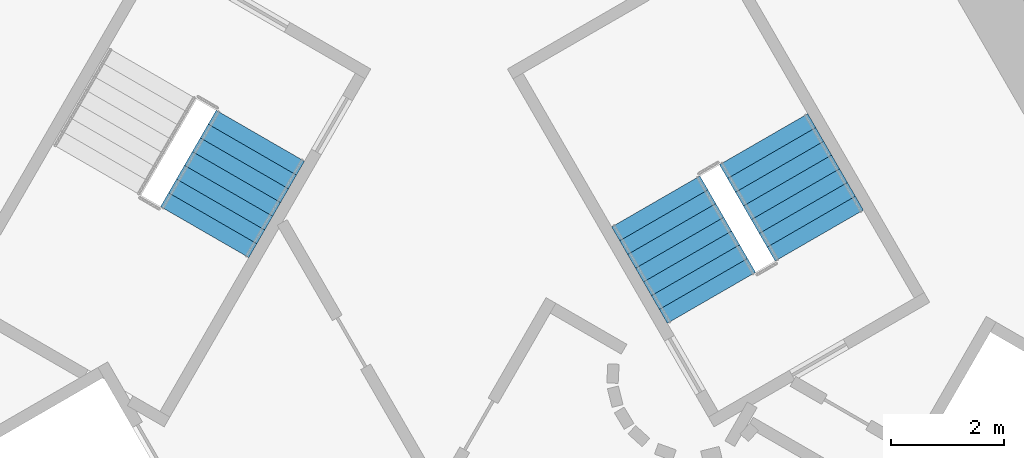
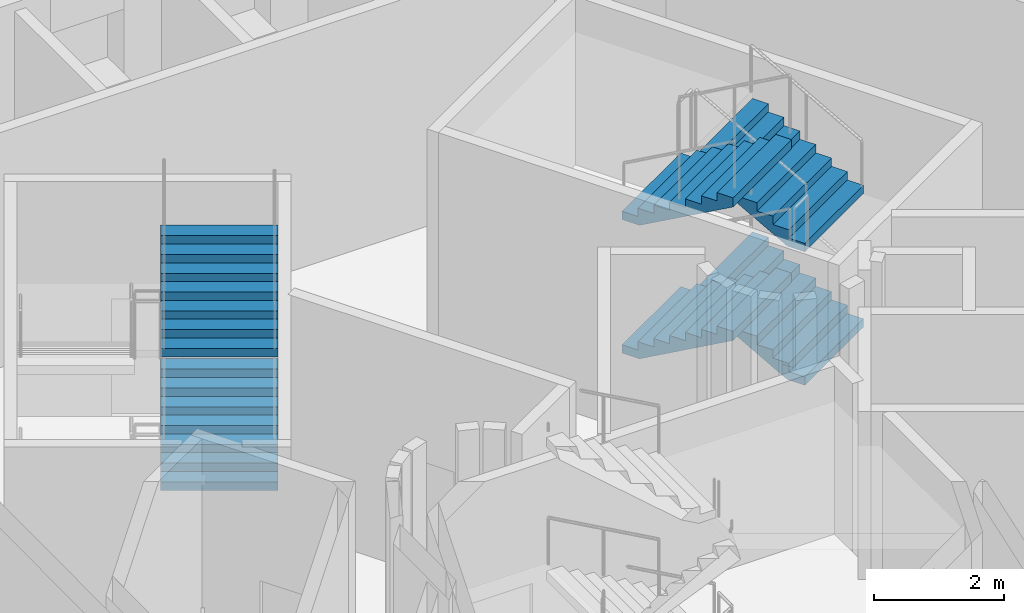
# One storey, part 10 of 15: 6 stair flights, 2 elements without a shape of their own.
"""IFC4 building model written with IfcOpenShell, lengths in metres."""

import ifcopenshell
import ifcopenshell.guid

model = None  # the IFC model being written
_history = None  # IfcOwnerHistory: only IFC2X3 demands one
_inside = {}  # id of a spatial element -> (the spatial element, [elements in it])
_under = {}  # id of a project, library or spatial element -> (it, [spatial elements below it])
_declared = {}  # id of a project -> (the project, [libraries it declares])
_typed = {}  # id of a type object -> (the type object, [elements of that type])
_made_of = {}  # id of a material, layer set ... -> (it, [elements and type objects made of it])


def new_model(schema):
    """Start an empty IFC model of exactly this schema.

    Asked for "IFC4X3", IfcOpenShell would pick the latest addendum, in which some entities
    have other attributes; the version numbers below select the first issue.
    IFC2X3 requires an IfcOwnerHistory on every rooted entity: one is made here for all.
    """
    global model, _history
    if schema == "IFC4X3":
        model = ifcopenshell.file(schema_version=(4, 3, 0, 0))
    else:
        model = ifcopenshell.file(schema=schema)
    _inside.clear()
    _under.clear()
    _declared.clear()
    _typed.clear()
    _made_of.clear()
    _history = None
    if model.schema == "IFC2X3":
        org = make("IfcOrganization", Name="unknown")
        user = make(
            "IfcPersonAndOrganization",
            ThePerson=make("IfcPerson", FamilyName="unknown"),
            TheOrganization=org,
        )
        app = make(
            "IfcApplication",
            ApplicationDeveloper=org,
            Version="unknown",
            ApplicationFullName="unknown",
            ApplicationIdentifier="unknown",
        )
        _history = make(
            "IfcOwnerHistory",
            OwningUser=user,
            OwningApplication=app,
            ChangeAction="ADDED",
            CreationDate=0,
        )
    return model


def make(cls, **values):
    """One entity of the class cls with the attributes given. An attribute that is None is left unset."""
    return model.create_entity(
        cls, **{name: value for name, value in values.items() if value is not None}
    )


def rooted(cls, **values):
    """An entity with a GlobalId (a new one), such as an element, a storey or a relation."""
    return make(cls, GlobalId=ifcopenshell.guid.new(), OwnerHistory=_history, **values)


def si_unit(unit_type, name, prefix=None):
    """IfcSIUnit, for example si_unit("LENGTHUNIT", "METRE", prefix="MILLI")."""
    return make("IfcSIUnit", UnitType=unit_type, Prefix=prefix, Name=name)


def assignment(units):
    """IfcUnitAssignment: the units of a project."""
    return None if units is None else make("IfcUnitAssignment", Units=units)


def point(xyz):
    """IfcCartesianPoint."""
    return None if xyz is None else make("IfcCartesianPoint", Coordinates=xyz)


def direction(xyz):
    """IfcDirection."""
    return None if xyz is None else make("IfcDirection", DirectionRatios=xyz)


def frame(location, z_axis=None, x_axis=None):
    """IfcAxis2Placement3D, a coordinate frame: its origin and axes. An axis left out is left unset."""
    return make(
        "IfcAxis2Placement3D",
        Location=point(location),
        Axis=direction(z_axis),
        RefDirection=direction(x_axis),
    )


def origin():
    """The frame at (0, 0, 0) with its axes left unset."""
    return frame((0.0, 0.0, 0.0))


def place(relative_to, where):
    """IfcLocalPlacement: puts the frame where relative to a parent placement (None: the world)."""
    return make(
        "IfcLocalPlacement", PlacementRelTo=relative_to, RelativePlacement=where
    )


def context(
    kind, dimensions, precision=None, world=None, true_north=None, identifier=None
):
    """IfcGeometricRepresentationContext, for example the 3D "Model" context."""
    return make(
        "IfcGeometricRepresentationContext",
        ContextIdentifier=identifier,
        ContextType=kind,
        CoordinateSpaceDimension=dimensions,
        Precision=precision,
        WorldCoordinateSystem=world,
        TrueNorth=true_north,
    )


def subcontext(parent, identifier, kind, view, scale=None):
    """IfcGeometricRepresentationSubContext, for example "Body" below "Model"."""
    return make(
        "IfcGeometricRepresentationSubContext",
        ContextIdentifier=identifier,
        ContextType=kind,
        ParentContext=parent,
        TargetScale=scale,
        TargetView=view,
    )


def project(units=None, contexts=None):
    """IfcProject with its units and contexts."""
    return rooted(
        "IfcProject",
        Name="project",
        RepresentationContexts=contexts,
        UnitsInContext=assignment(units),
    )


def spatial(cls, under=None, at=None, **own):
    """A site, building, storey or space (cls), placed at a placement, below another one or the project."""
    s = rooted(cls, ObjectPlacement=at, **own)
    if under is not None:
        _under.setdefault(under.id(), (under, []))[1].append(s)
    return s


def point_list(points):
    """IfcCartesianPointList2D or 3D."""
    cls = (
        "IfcCartesianPointList2D" if len(points[0]) == 2 else "IfcCartesianPointList3D"
    )
    return make(cls, CoordList=points)


def triangles(points, corners, closed=None, point_numbers=None):
    """IfcTriangulatedFaceSet: each triangle names its three corners, points numbered from 1."""
    return make(
        "IfcTriangulatedFaceSet",
        Coordinates=point_list(points),
        Closed=closed,
        CoordIndex=corners,
        PnIndex=point_numbers,
    )


def shape(context_of_items, identifier, shape_type, items):
    """IfcShapeRepresentation: the items that make up one representation, for example the "Body"."""
    return make(
        "IfcShapeRepresentation",
        ContextOfItems=context_of_items,
        RepresentationIdentifier=identifier,
        RepresentationType=shape_type,
        Items=items,
    )


def material(Name=None, Category=None):
    """IfcMaterial."""
    return make("IfcMaterial", Name=Name, Category=Category)


def made_of(thing, what):
    """Note that an element or type object is made of a material, layer set ...; save() writes the relation."""
    if what is not None:
        _made_of.setdefault(what.id(), (what, []))[1].append(thing)
    return thing


def type_object(cls, material=None, **own):
    """A type object (cls), such as IfcWallType, which elements share."""
    return made_of(rooted(cls, **own), material)


def element(
    cls,
    number,
    at=None,
    inside=None,
    cuts=None,
    type_object=None,
    material=None,
    context=None,
    identifier="Body",
    shape_type=None,
    held_by="IfcProductDefinitionShape",
    body=None,
    shapes=None,
    **own,
):
    """One element of the class cls, such as IfcWall. Its Tag is "e" and its number.

    at: its placement. inside: the storey or other place that contains it. cuts: it is an
    opening in that element (IfcRelVoidsElement). A single representation is given by context,
    identifier, shape_type and body (its items); several are given by shapes. held_by: the class
    of the entity that holds the representations. save() writes the other relations.
    """
    e = rooted(cls, Tag="e%d" % number, ObjectPlacement=at, **own)
    if body is not None:
        shapes = [shape(context, identifier, shape_type, body)]
    if shapes is not None:
        e.Representation = make(held_by, Representations=shapes)
    if inside is not None:
        _inside.setdefault(inside.id(), (inside, []))[1].append(e)
    if cuts is not None:
        rooted(
            "IfcRelVoidsElement", RelatingBuildingElement=cuts, RelatedOpeningElement=e
        )
    if type_object is not None:
        _typed.setdefault(type_object.id(), (type_object, []))[1].append(e)
    return made_of(e, material)


def aggregate(whole, parts):
    """IfcRelAggregates: a whole, such as a stair, and the parts it consists of."""
    return rooted("IfcRelAggregates", RelatingObject=whole, RelatedObjects=parts)


def save(model, path):
    """Write the relations noted so far, then the file.

    IfcRelAggregates (storeys below a building ...), IfcRelContainedInSpatialStructure (elements
    in a storey), IfcRelDefinesByType, IfcRelAssociatesMaterial and IfcRelDeclares: one each for
    every whole, place, type object, material and project.
    """
    for whole, parts in _under.values():
        aggregate(whole, parts)
    for where, things in _inside.values():
        rooted(
            "IfcRelContainedInSpatialStructure",
            RelatedElements=things,
            RelatingStructure=where,
        )
    for kind, things in _typed.values():
        rooted("IfcRelDefinesByType", RelatedObjects=things, RelatingType=kind)
    for what, things in _made_of.values():
        rooted("IfcRelAssociatesMaterial", RelatedObjects=things, RelatingMaterial=what)
    for by, libraries in _declared.values():
        rooted("IfcRelDeclares", RelatingContext=by, RelatedDefinitions=libraries)
    model.write(path)


model = new_model("IFC4")

# Units and contexts
model_context = context("Model", 3, precision=1e-05, world=origin(), true_north=direction((0.0, 1.0)))
body_context = subcontext(model_context, "Body", "Model", "MODEL_VIEW")
ifc_project = project(units=[si_unit("LENGTHUNIT", "METRE"), si_unit("AREAUNIT", "SQUARE_METRE"), si_unit("VOLUMEUNIT", "CUBIC_METRE"), si_unit("PLANEANGLEUNIT", "RADIAN"), si_unit("MASSUNIT", "GRAM", prefix="KILO")], contexts=[model_context])

# Site, building, storey
site_placement = place(None, origin())
site = spatial("IfcSite", under=ifc_project, at=site_placement, CompositionType="ELEMENT")
building_placement = place(site_placement, origin())
building = spatial("IfcBuilding", under=site, at=building_placement, Name="Entoto Arch Interchange Tower", CompositionType="ELEMENT")
storey_placement = place(building_placement, frame((0.0, 0.0, 30.0)))
storey = spatial("IfcBuildingStorey", under=building, at=storey_placement, Name="L05", CompositionType="ELEMENT", Elevation=30.0)

# Stair, stair flights
ifc_material = material(Name="Concrete C40/50", Category="concrete")
stair_type = type_object("IfcStairType", Name="EXIT STAIR RC 1800", PredefinedType="HALF_TURN_STAIR", material=ifc_material)
stair_1_placement = place(storey_placement, origin())
stair_1 = element("IfcStair", 1, at=stair_1_placement, inside=storey, type_object=stair_type, Name="L05 Exit stair NE", PredefinedType="HALF_TURN_STAIR")
stair_flight_type = type_object("IfcStairFlightType", Name="EXIT STAIR FLIGHT RC 1800", PredefinedType="STRAIGHT", material=ifc_material)
stair_flight_1_placement = place(storey_placement, frame((6.7138671875, 4.470947265625, 0.0), z_axis=(0.0, 0.0, 1.0), x_axis=(-0.5, 0.866025403784, 0.0)))
stair_flight_1 = element("IfcStairFlight", 2, at=stair_flight_1_placement, type_object=stair_flight_type, Name="ST-NE flight 1", NumberOfRisers=8, NumberOfTreads=7, PredefinedType="STRAIGHT", RiserHeight=0.15625, TreadLength=0.28, context=body_context, shape_type="Tessellation", body=[
    triangles([(-0.003, -0.900024, 0.0), (-0.003, -0.900024, 0.15625), (0.28, -0.900024, 0.15625), (0.28, -0.900024, 0.3125), (0.56, -0.900024, 0.3125), (0.56, -0.900024, 0.46875), (0.84, -0.900024, 0.46875), (0.84, -0.900024, 0.625), (1.12, -0.900024, 0.625), (1.12, -0.900024, 0.78125), (1.4, -0.900024, 0.78125), (1.4, -0.900024, 0.9375), (1.68, -0.900024, 0.9375), (1.68, -0.900024, 1.09375), (1.96, -0.900024, 1.09375), (1.963, -0.900024, 1.09375), (1.963, -0.900024, 0.923761), (0.30762, -0.900024, 0.0), (-0.003, 0.900024, 0.0), (-0.003, 0.900024, 0.15625), (0.28, 0.900024, 0.15625), (0.28, 0.900024, 0.3125), (0.56, 0.900024, 0.3125), (0.56, 0.900024, 0.46875), (0.84, 0.900024, 0.46875), (0.84, 0.900024, 0.625), (1.12, 0.900024, 0.625), (1.12, 0.900024, 0.78125), (1.4, 0.900024, 0.78125), (1.4, 0.900024, 0.9375), (1.68, 0.900024, 0.9375), (1.68, 0.900024, 1.09375), (1.96, 0.900024, 1.09375), (1.963, 0.900024, 1.09375), (1.963, 0.900024, 0.923761), (0.30762, 0.900024, 0.0), (-0.003, -0.450012, 0.0), (-0.003, -0.450012, 0.15625), (-0.003, 0.0, 0.0), (-0.003, 0.0, 0.15625), (-0.003, 0.450012, 0.0), (-0.003, 0.450012, 0.15625), (0.28, -0.450012, 0.15625), (0.28, 0.0, 0.15625), (0.28, 0.450012, 0.15625), (0.28, -0.450012, 0.3125), (0.28, 0.0, 0.3125), (0.28, 0.450012, 0.3125), (0.56, -0.450012, 0.3125), (0.56, 0.0, 0.3125), (0.56, 0.450012, 0.3125), (0.56, -0.450012, 0.46875), (0.56, 0.0, 0.46875), (0.56, 0.450012, 0.46875), (0.84, -0.450012, 0.46875), (0.84, 0.0, 0.46875), (0.84, 0.450012, 0.46875), (0.84, -0.450012, 0.625), (0.84, 0.0, 0.625), (0.84, 0.450012, 0.625), (1.12, -0.450012, 0.625), (1.12, 0.0, 0.625), (1.12, 0.450012, 0.625), (1.12, -0.450012, 0.78125), (1.12, 0.0, 0.78125), (1.12, 0.450012, 0.78125), (1.4, -0.450012, 0.78125), (1.4, 0.0, 0.78125), (1.4, 0.450012, 0.78125), (1.4, -0.450012, 0.9375), (1.4, 0.0, 0.9375), (1.4, 0.450012, 0.9375), (1.68, -0.450012, 0.9375), (1.68, 0.0, 0.9375), (1.68, 0.450012, 0.9375), (1.68, -0.450012, 1.09375), (1.68, 0.0, 1.09375), (1.68, 0.450012, 1.09375), (1.96, -0.450012, 1.09375), (1.96, 0.0, 1.09375), (1.96, 0.450012, 1.09375), (1.963, -0.450012, 1.09375), (1.963, 0.0, 1.09375), (1.963, 0.450012, 1.09375), (1.963, -0.450012, 0.923761), (1.963, 0.0, 0.923761), (1.963, 0.450012, 0.923761), (0.30762, -0.450012, 0.0), (0.30762, 0.0, 0.0), (0.30762, 0.450012, 0.0)], [[1, 18, 17], [17, 16, 15], [17, 15, 14], [17, 14, 13], [17, 13, 12], [17, 12, 11], [11, 10, 9], [17, 11, 9], [9, 8, 7], [17, 9, 7], [7, 6, 5], [17, 7, 5], [5, 4, 3], [17, 5, 3], [1, 17, 3], [3, 2, 1], [19, 35, 36], [35, 33, 34], [35, 32, 33], [35, 31, 32], [35, 30, 31], [35, 29, 30], [29, 27, 28], [35, 27, 29], [27, 25, 26], [35, 25, 27], [25, 23, 24], [35, 23, 25], [23, 21, 22], [35, 21, 23], [19, 21, 35], [21, 19, 20], [1, 2, 38], [1, 38, 37], [37, 38, 40], [37, 40, 39], [39, 40, 42], [39, 42, 41], [41, 42, 20], [41, 20, 19], [2, 3, 43], [2, 43, 38], [38, 43, 44], [38, 44, 40], [40, 44, 45], [40, 45, 42], [42, 45, 21], [42, 21, 20], [3, 4, 46], [3, 46, 43], [43, 46, 47], [43, 47, 44], [44, 47, 48], [44, 48, 45], [45, 48, 22], [45, 22, 21], [4, 5, 49], [4, 49, 46], [46, 49, 50], [46, 50, 47], [47, 50, 51], [47, 51, 48], [48, 51, 23], [48, 23, 22], [5, 6, 52], [5, 52, 49], [49, 52, 53], [49, 53, 50], [50, 53, 54], [50, 54, 51], [51, 54, 24], [51, 24, 23], [6, 7, 55], [6, 55, 52], [52, 55, 56], [52, 56, 53], [53, 56, 57], [53, 57, 54], [54, 57, 25], [54, 25, 24], [7, 8, 58], [7, 58, 55], [55, 58, 59], [55, 59, 56], [56, 59, 60], [56, 60, 57], [57, 60, 26], [57, 26, 25], [8, 9, 61], [8, 61, 58], [58, 61, 62], [58, 62, 59], [59, 62, 63], [59, 63, 60], [60, 63, 27], [60, 27, 26], [9, 10, 64], [9, 64, 61], [61, 64, 65], [61, 65, 62], [62, 65, 66], [62, 66, 63], [63, 66, 28], [63, 28, 27], [10, 11, 67], [10, 67, 64], [64, 67, 68], [64, 68, 65], [65, 68, 69], [65, 69, 66], [66, 69, 29], [66, 29, 28], [11, 12, 70], [11, 70, 67], [67, 70, 71], [67, 71, 68], [68, 71, 72], [68, 72, 69], [69, 72, 30], [69, 30, 29], [12, 13, 73], [12, 73, 70], [70, 73, 74], [70, 74, 71], [71, 74, 75], [71, 75, 72], [72, 75, 31], [72, 31, 30], [13, 14, 76], [13, 76, 73], [73, 76, 77], [73, 77, 74], [74, 77, 78], [74, 78, 75], [75, 78, 32], [75, 32, 31], [14, 15, 79], [14, 79, 76], [76, 79, 80], [76, 80, 77], [77, 80, 81], [77, 81, 78], [78, 81, 33], [78, 33, 32], [15, 16, 82], [15, 82, 79], [79, 82, 83], [79, 83, 80], [80, 83, 84], [80, 84, 81], [81, 84, 34], [81, 34, 33], [16, 17, 85], [16, 85, 82], [82, 85, 86], [82, 86, 83], [83, 86, 87], [83, 87, 84], [84, 87, 35], [84, 35, 34], [17, 18, 88], [17, 88, 85], [85, 88, 89], [85, 89, 86], [86, 89, 90], [86, 90, 87], [87, 90, 36], [87, 36, 35], [18, 1, 37], [18, 37, 88], [88, 37, 39], [88, 39, 89], [89, 39, 41], [89, 41, 90], [90, 41, 19], [90, 19, 36]], closed=True),
])
stair_flight_2_placement = place(storey_placement, frame((3.82861328125, 5.068359375, 1.25), z_axis=(0.0, 0.0, 1.0), x_axis=(0.5, -0.866025403784, 0.0)))
stair_flight_2 = element("IfcStairFlight", 3, at=stair_flight_2_placement, type_object=stair_flight_type, Name="ST-NE flight 2", NumberOfRisers=8, NumberOfTreads=7, PredefinedType="STRAIGHT", RiserHeight=0.15625, TreadLength=0.28, context=body_context, shape_type="Tessellation", body=[
    triangles([(-0.003, -0.900024, 0.0), (-0.003, -0.900024, 0.15625), (0.28, -0.900024, 0.15625), (0.28, -0.900024, 0.3125), (0.56, -0.900024, 0.3125), (0.56, -0.900024, 0.46875), (0.84, -0.900024, 0.46875), (0.84, -0.900024, 0.625), (1.12, -0.900024, 0.625), (1.12, -0.900024, 0.78125), (1.4, -0.900024, 0.78125), (1.4, -0.900024, 0.9375), (1.68, -0.900024, 0.9375), (1.68, -0.900024, 1.09375), (1.96, -0.900024, 1.09375), (1.963, -0.900024, 1.09375), (1.963, -0.900024, 0.923761), (0.30762, -0.900024, 0.0), (-0.003, 0.900024, 0.0), (-0.003, 0.900024, 0.15625), (0.28, 0.900024, 0.15625), (0.28, 0.900024, 0.3125), (0.56, 0.900024, 0.3125), (0.56, 0.900024, 0.46875), (0.84, 0.900024, 0.46875), (0.84, 0.900024, 0.625), (1.12, 0.900024, 0.625), (1.12, 0.900024, 0.78125), (1.4, 0.900024, 0.78125), (1.4, 0.900024, 0.9375), (1.68, 0.900024, 0.9375), (1.68, 0.900024, 1.09375), (1.96, 0.900024, 1.09375), (1.963, 0.900024, 1.09375), (1.963, 0.900024, 0.923761), (0.30762, 0.900024, 0.0), (-0.003, -0.450012, 0.0), (-0.003, -0.450012, 0.15625), (-0.003, 0.0, 0.0), (-0.003, 0.0, 0.15625), (-0.003, 0.450012, 0.0), (-0.003, 0.450012, 0.15625), (0.28, -0.450012, 0.15625), (0.28, 0.0, 0.15625), (0.28, 0.450012, 0.15625), (0.28, -0.450012, 0.3125), (0.28, 0.0, 0.3125), (0.28, 0.450012, 0.3125), (0.56, -0.450012, 0.3125), (0.56, 0.0, 0.3125), (0.56, 0.450012, 0.3125), (0.56, -0.450012, 0.46875), (0.56, 0.0, 0.46875), (0.56, 0.450012, 0.46875), (0.84, -0.450012, 0.46875), (0.84, 0.0, 0.46875), (0.84, 0.450012, 0.46875), (0.84, -0.450012, 0.625), (0.84, 0.0, 0.625), (0.84, 0.450012, 0.625), (1.12, -0.450012, 0.625), (1.12, 0.0, 0.625), (1.12, 0.450012, 0.625), (1.12, -0.450012, 0.78125), (1.12, 0.0, 0.78125), (1.12, 0.450012, 0.78125), (1.4, -0.450012, 0.78125), (1.4, 0.0, 0.78125), (1.4, 0.450012, 0.78125), (1.4, -0.450012, 0.9375), (1.4, 0.0, 0.9375), (1.4, 0.450012, 0.9375), (1.68, -0.450012, 0.9375), (1.68, 0.0, 0.9375), (1.68, 0.450012, 0.9375), (1.68, -0.450012, 1.09375), (1.68, 0.0, 1.09375), (1.68, 0.450012, 1.09375), (1.96, -0.450012, 1.09375), (1.96, 0.0, 1.09375), (1.96, 0.450012, 1.09375), (1.963, -0.450012, 1.09375), (1.963, 0.0, 1.09375), (1.963, 0.450012, 1.09375), (1.963, -0.450012, 0.923761), (1.963, 0.0, 0.923761), (1.963, 0.450012, 0.923761), (0.30762, -0.450012, 0.0), (0.30762, 0.0, 0.0), (0.30762, 0.450012, 0.0)], [[1, 18, 17], [17, 16, 15], [17, 15, 14], [17, 14, 13], [17, 13, 12], [17, 12, 11], [11, 10, 9], [17, 11, 9], [9, 8, 7], [17, 9, 7], [7, 6, 5], [17, 7, 5], [5, 4, 3], [17, 5, 3], [1, 17, 3], [3, 2, 1], [19, 35, 36], [35, 33, 34], [35, 32, 33], [35, 31, 32], [35, 30, 31], [35, 29, 30], [29, 27, 28], [35, 27, 29], [27, 25, 26], [35, 25, 27], [25, 23, 24], [35, 23, 25], [23, 21, 22], [35, 21, 23], [19, 21, 35], [21, 19, 20], [1, 2, 38], [1, 38, 37], [37, 38, 40], [37, 40, 39], [39, 40, 42], [39, 42, 41], [41, 42, 20], [41, 20, 19], [2, 3, 43], [2, 43, 38], [38, 43, 44], [38, 44, 40], [40, 44, 45], [40, 45, 42], [42, 45, 21], [42, 21, 20], [3, 4, 46], [3, 46, 43], [43, 46, 47], [43, 47, 44], [44, 47, 48], [44, 48, 45], [45, 48, 22], [45, 22, 21], [4, 5, 49], [4, 49, 46], [46, 49, 50], [46, 50, 47], [47, 50, 51], [47, 51, 48], [48, 51, 23], [48, 23, 22], [5, 6, 52], [5, 52, 49], [49, 52, 53], [49, 53, 50], [50, 53, 54], [50, 54, 51], [51, 54, 24], [51, 24, 23], [6, 7, 55], [6, 55, 52], [52, 55, 56], [52, 56, 53], [53, 56, 57], [53, 57, 54], [54, 57, 25], [54, 25, 24], [7, 8, 58], [7, 58, 55], [55, 58, 59], [55, 59, 56], [56, 59, 60], [56, 60, 57], [57, 60, 26], [57, 26, 25], [8, 9, 61], [8, 61, 58], [58, 61, 62], [58, 62, 59], [59, 62, 63], [59, 63, 60], [60, 63, 27], [60, 27, 26], [9, 10, 64], [9, 64, 61], [61, 64, 65], [61, 65, 62], [62, 65, 66], [62, 66, 63], [63, 66, 28], [63, 28, 27], [10, 11, 67], [10, 67, 64], [64, 67, 68], [64, 68, 65], [65, 68, 69], [65, 69, 66], [66, 69, 29], [66, 29, 28], [11, 12, 70], [11, 70, 67], [67, 70, 71], [67, 71, 68], [68, 71, 72], [68, 72, 69], [69, 72, 30], [69, 30, 29], [12, 13, 73], [12, 73, 70], [70, 73, 74], [70, 74, 71], [71, 74, 75], [71, 75, 72], [72, 75, 31], [72, 31, 30], [13, 14, 76], [13, 76, 73], [73, 76, 77], [73, 77, 74], [74, 77, 78], [74, 78, 75], [75, 78, 32], [75, 32, 31], [14, 15, 79], [14, 79, 76], [76, 79, 80], [76, 80, 77], [77, 80, 81], [77, 81, 78], [78, 81, 33], [78, 33, 32], [15, 16, 82], [15, 82, 79], [79, 82, 83], [79, 83, 80], [80, 83, 84], [80, 84, 81], [81, 84, 34], [81, 34, 33], [16, 17, 85], [16, 85, 82], [82, 85, 86], [82, 86, 83], [83, 86, 87], [83, 87, 84], [84, 87, 35], [84, 35, 34], [17, 18, 88], [17, 88, 85], [85, 88, 89], [85, 89, 86], [86, 89, 90], [86, 90, 87], [87, 90, 36], [87, 36, 35], [18, 1, 37], [18, 37, 88], [88, 37, 39], [88, 39, 89], [89, 39, 41], [89, 41, 90], [90, 41, 19], [90, 19, 36]], closed=True),
])
stair_flight_3_placement = place(storey_placement, frame((6.7138671875, 4.470947265625, 2.5), z_axis=(0.0, 0.0, 1.0), x_axis=(-0.5, 0.866025403784, 0.0)))
stair_flight_3 = element("IfcStairFlight", 4, at=stair_flight_3_placement, type_object=stair_flight_type, Name="ST-NE flight 3", NumberOfRisers=8, NumberOfTreads=7, PredefinedType="STRAIGHT", RiserHeight=0.15625, TreadLength=0.28, context=body_context, shape_type="Tessellation", body=[
    triangles([(-0.003, -0.900024, 0.0), (-0.003, -0.900024, 0.15625), (0.28, -0.900024, 0.15625), (0.28, -0.900024, 0.3125), (0.56, -0.900024, 0.3125), (0.56, -0.900024, 0.46875), (0.84, -0.900024, 0.46875), (0.84, -0.900024, 0.625), (1.12, -0.900024, 0.625), (1.12, -0.900024, 0.78125), (1.4, -0.900024, 0.78125), (1.4, -0.900024, 0.9375), (1.68, -0.900024, 0.9375), (1.68, -0.900024, 1.09375), (1.96, -0.900024, 1.09375), (1.963, -0.900024, 1.09375), (1.963, -0.900024, 0.923761), (0.30762, -0.900024, 0.0), (-0.003, 0.900024, 0.0), (-0.003, 0.900024, 0.15625), (0.28, 0.900024, 0.15625), (0.28, 0.900024, 0.3125), (0.56, 0.900024, 0.3125), (0.56, 0.900024, 0.46875), (0.84, 0.900024, 0.46875), (0.84, 0.900024, 0.625), (1.12, 0.900024, 0.625), (1.12, 0.900024, 0.78125), (1.4, 0.900024, 0.78125), (1.4, 0.900024, 0.9375), (1.68, 0.900024, 0.9375), (1.68, 0.900024, 1.09375), (1.96, 0.900024, 1.09375), (1.963, 0.900024, 1.09375), (1.963, 0.900024, 0.923761), (0.30762, 0.900024, 0.0), (-0.003, -0.450012, 0.0), (-0.003, -0.450012, 0.15625), (-0.003, 0.0, 0.0), (-0.003, 0.0, 0.15625), (-0.003, 0.450012, 0.0), (-0.003, 0.450012, 0.15625), (0.28, -0.450012, 0.15625), (0.28, 0.0, 0.15625), (0.28, 0.450012, 0.15625), (0.28, -0.450012, 0.3125), (0.28, 0.0, 0.3125), (0.28, 0.450012, 0.3125), (0.56, -0.450012, 0.3125), (0.56, 0.0, 0.3125), (0.56, 0.450012, 0.3125), (0.56, -0.450012, 0.46875), (0.56, 0.0, 0.46875), (0.56, 0.450012, 0.46875), (0.84, -0.450012, 0.46875), (0.84, 0.0, 0.46875), (0.84, 0.450012, 0.46875), (0.84, -0.450012, 0.625), (0.84, 0.0, 0.625), (0.84, 0.450012, 0.625), (1.12, -0.450012, 0.625), (1.12, 0.0, 0.625), (1.12, 0.450012, 0.625), (1.12, -0.450012, 0.78125), (1.12, 0.0, 0.78125), (1.12, 0.450012, 0.78125), (1.4, -0.450012, 0.78125), (1.4, 0.0, 0.78125), (1.4, 0.450012, 0.78125), (1.4, -0.450012, 0.9375), (1.4, 0.0, 0.9375), (1.4, 0.450012, 0.9375), (1.68, -0.450012, 0.9375), (1.68, 0.0, 0.9375), (1.68, 0.450012, 0.9375), (1.68, -0.450012, 1.09375), (1.68, 0.0, 1.09375), (1.68, 0.450012, 1.09375), (1.96, -0.450012, 1.09375), (1.96, 0.0, 1.09375), (1.96, 0.450012, 1.09375), (1.963, -0.450012, 1.09375), (1.963, 0.0, 1.09375), (1.963, 0.450012, 1.09375), (1.963, -0.450012, 0.923761), (1.963, 0.0, 0.923761), (1.963, 0.450012, 0.923761), (0.30762, -0.450012, 0.0), (0.30762, 0.0, 0.0), (0.30762, 0.450012, 0.0)], [[1, 18, 17], [17, 16, 15], [17, 15, 14], [17, 14, 13], [17, 13, 12], [17, 12, 11], [11, 10, 9], [17, 11, 9], [9, 8, 7], [17, 9, 7], [7, 6, 5], [17, 7, 5], [5, 4, 3], [17, 5, 3], [1, 17, 3], [3, 2, 1], [19, 35, 36], [35, 33, 34], [35, 32, 33], [35, 31, 32], [35, 30, 31], [35, 29, 30], [29, 27, 28], [35, 27, 29], [27, 25, 26], [35, 25, 27], [25, 23, 24], [35, 23, 25], [23, 21, 22], [35, 21, 23], [19, 21, 35], [21, 19, 20], [1, 2, 38], [1, 38, 37], [37, 38, 40], [37, 40, 39], [39, 40, 42], [39, 42, 41], [41, 42, 20], [41, 20, 19], [2, 3, 43], [2, 43, 38], [38, 43, 44], [38, 44, 40], [40, 44, 45], [40, 45, 42], [42, 45, 21], [42, 21, 20], [3, 4, 46], [3, 46, 43], [43, 46, 47], [43, 47, 44], [44, 47, 48], [44, 48, 45], [45, 48, 22], [45, 22, 21], [4, 5, 49], [4, 49, 46], [46, 49, 50], [46, 50, 47], [47, 50, 51], [47, 51, 48], [48, 51, 23], [48, 23, 22], [5, 6, 52], [5, 52, 49], [49, 52, 53], [49, 53, 50], [50, 53, 54], [50, 54, 51], [51, 54, 24], [51, 24, 23], [6, 7, 55], [6, 55, 52], [52, 55, 56], [52, 56, 53], [53, 56, 57], [53, 57, 54], [54, 57, 25], [54, 25, 24], [7, 8, 58], [7, 58, 55], [55, 58, 59], [55, 59, 56], [56, 59, 60], [56, 60, 57], [57, 60, 26], [57, 26, 25], [8, 9, 61], [8, 61, 58], [58, 61, 62], [58, 62, 59], [59, 62, 63], [59, 63, 60], [60, 63, 27], [60, 27, 26], [9, 10, 64], [9, 64, 61], [61, 64, 65], [61, 65, 62], [62, 65, 66], [62, 66, 63], [63, 66, 28], [63, 28, 27], [10, 11, 67], [10, 67, 64], [64, 67, 68], [64, 68, 65], [65, 68, 69], [65, 69, 66], [66, 69, 29], [66, 29, 28], [11, 12, 70], [11, 70, 67], [67, 70, 71], [67, 71, 68], [68, 71, 72], [68, 72, 69], [69, 72, 30], [69, 30, 29], [12, 13, 73], [12, 73, 70], [70, 73, 74], [70, 74, 71], [71, 74, 75], [71, 75, 72], [72, 75, 31], [72, 31, 30], [13, 14, 76], [13, 76, 73], [73, 76, 77], [73, 77, 74], [74, 77, 78], [74, 78, 75], [75, 78, 32], [75, 32, 31], [14, 15, 79], [14, 79, 76], [76, 79, 80], [76, 80, 77], [77, 80, 81], [77, 81, 78], [78, 81, 33], [78, 33, 32], [15, 16, 82], [15, 82, 79], [79, 82, 83], [79, 83, 80], [80, 83, 84], [80, 84, 81], [81, 84, 34], [81, 34, 33], [16, 17, 85], [16, 85, 82], [82, 85, 86], [82, 86, 83], [83, 86, 87], [83, 87, 84], [84, 87, 35], [84, 35, 34], [17, 18, 88], [17, 88, 85], [85, 88, 89], [85, 89, 86], [86, 89, 90], [86, 90, 87], [87, 90, 36], [87, 36, 35], [18, 1, 37], [18, 37, 88], [88, 37, 39], [88, 39, 89], [89, 39, 41], [89, 41, 90], [90, 41, 19], [90, 19, 36]], closed=True),
])
stair_flight_4_placement = place(storey_placement, frame((3.82861328125, 5.068359375, 3.75), z_axis=(0.0, 0.0, 1.0), x_axis=(0.5, -0.866025403784, 0.0)))
stair_flight_4 = element("IfcStairFlight", 5, at=stair_flight_4_placement, type_object=stair_flight_type, Name="ST-NE flight 4", NumberOfRisers=8, NumberOfTreads=7, PredefinedType="STRAIGHT", RiserHeight=0.15625, TreadLength=0.28, context=body_context, shape_type="Tessellation", body=[
    triangles([(-0.003, -0.900024, 0.0), (-0.003, -0.900024, 0.15625), (0.28, -0.900024, 0.15625), (0.28, -0.900024, 0.3125), (0.56, -0.900024, 0.3125), (0.56, -0.900024, 0.46875), (0.84, -0.900024, 0.46875), (0.84, -0.900024, 0.625), (1.12, -0.900024, 0.625), (1.12, -0.900024, 0.78125), (1.4, -0.900024, 0.78125), (1.4, -0.900024, 0.9375), (1.68, -0.900024, 0.9375), (1.68, -0.900024, 1.09375), (1.96, -0.900024, 1.09375), (1.963, -0.900024, 1.09375), (1.963, -0.900024, 0.923761), (0.30762, -0.900024, 0.0), (-0.003, 0.900024, 0.0), (-0.003, 0.900024, 0.15625), (0.28, 0.900024, 0.15625), (0.28, 0.900024, 0.3125), (0.56, 0.900024, 0.3125), (0.56, 0.900024, 0.46875), (0.84, 0.900024, 0.46875), (0.84, 0.900024, 0.625), (1.12, 0.900024, 0.625), (1.12, 0.900024, 0.78125), (1.4, 0.900024, 0.78125), (1.4, 0.900024, 0.9375), (1.68, 0.900024, 0.9375), (1.68, 0.900024, 1.09375), (1.96, 0.900024, 1.09375), (1.963, 0.900024, 1.09375), (1.963, 0.900024, 0.923761), (0.30762, 0.900024, 0.0), (-0.003, -0.450012, 0.0), (-0.003, -0.450012, 0.15625), (-0.003, 0.0, 0.0), (-0.003, 0.0, 0.15625), (-0.003, 0.450012, 0.0), (-0.003, 0.450012, 0.15625), (0.28, -0.450012, 0.15625), (0.28, 0.0, 0.15625), (0.28, 0.450012, 0.15625), (0.28, -0.450012, 0.3125), (0.28, 0.0, 0.3125), (0.28, 0.450012, 0.3125), (0.56, -0.450012, 0.3125), (0.56, 0.0, 0.3125), (0.56, 0.450012, 0.3125), (0.56, -0.450012, 0.46875), (0.56, 0.0, 0.46875), (0.56, 0.450012, 0.46875), (0.84, -0.450012, 0.46875), (0.84, 0.0, 0.46875), (0.84, 0.450012, 0.46875), (0.84, -0.450012, 0.625), (0.84, 0.0, 0.625), (0.84, 0.450012, 0.625), (1.12, -0.450012, 0.625), (1.12, 0.0, 0.625), (1.12, 0.450012, 0.625), (1.12, -0.450012, 0.78125), (1.12, 0.0, 0.78125), (1.12, 0.450012, 0.78125), (1.4, -0.450012, 0.78125), (1.4, 0.0, 0.78125), (1.4, 0.450012, 0.78125), (1.4, -0.450012, 0.9375), (1.4, 0.0, 0.9375), (1.4, 0.450012, 0.9375), (1.68, -0.450012, 0.9375), (1.68, 0.0, 0.9375), (1.68, 0.450012, 0.9375), (1.68, -0.450012, 1.09375), (1.68, 0.0, 1.09375), (1.68, 0.450012, 1.09375), (1.96, -0.450012, 1.09375), (1.96, 0.0, 1.09375), (1.96, 0.450012, 1.09375), (1.963, -0.450012, 1.09375), (1.963, 0.0, 1.09375), (1.963, 0.450012, 1.09375), (1.963, -0.450012, 0.923761), (1.963, 0.0, 0.923761), (1.963, 0.450012, 0.923761), (0.30762, -0.450012, 0.0), (0.30762, 0.0, 0.0), (0.30762, 0.450012, 0.0)], [[1, 18, 17], [17, 16, 15], [17, 15, 14], [17, 14, 13], [17, 13, 12], [17, 12, 11], [11, 10, 9], [17, 11, 9], [9, 8, 7], [17, 9, 7], [7, 6, 5], [17, 7, 5], [5, 4, 3], [17, 5, 3], [1, 17, 3], [3, 2, 1], [19, 35, 36], [35, 33, 34], [35, 32, 33], [35, 31, 32], [35, 30, 31], [35, 29, 30], [29, 27, 28], [35, 27, 29], [27, 25, 26], [35, 25, 27], [25, 23, 24], [35, 23, 25], [23, 21, 22], [35, 21, 23], [19, 21, 35], [21, 19, 20], [1, 2, 38], [1, 38, 37], [37, 38, 40], [37, 40, 39], [39, 40, 42], [39, 42, 41], [41, 42, 20], [41, 20, 19], [2, 3, 43], [2, 43, 38], [38, 43, 44], [38, 44, 40], [40, 44, 45], [40, 45, 42], [42, 45, 21], [42, 21, 20], [3, 4, 46], [3, 46, 43], [43, 46, 47], [43, 47, 44], [44, 47, 48], [44, 48, 45], [45, 48, 22], [45, 22, 21], [4, 5, 49], [4, 49, 46], [46, 49, 50], [46, 50, 47], [47, 50, 51], [47, 51, 48], [48, 51, 23], [48, 23, 22], [5, 6, 52], [5, 52, 49], [49, 52, 53], [49, 53, 50], [50, 53, 54], [50, 54, 51], [51, 54, 24], [51, 24, 23], [6, 7, 55], [6, 55, 52], [52, 55, 56], [52, 56, 53], [53, 56, 57], [53, 57, 54], [54, 57, 25], [54, 25, 24], [7, 8, 58], [7, 58, 55], [55, 58, 59], [55, 59, 56], [56, 59, 60], [56, 60, 57], [57, 60, 26], [57, 26, 25], [8, 9, 61], [8, 61, 58], [58, 61, 62], [58, 62, 59], [59, 62, 63], [59, 63, 60], [60, 63, 27], [60, 27, 26], [9, 10, 64], [9, 64, 61], [61, 64, 65], [61, 65, 62], [62, 65, 66], [62, 66, 63], [63, 66, 28], [63, 28, 27], [10, 11, 67], [10, 67, 64], [64, 67, 68], [64, 68, 65], [65, 68, 69], [65, 69, 66], [66, 69, 29], [66, 29, 28], [11, 12, 70], [11, 70, 67], [67, 70, 71], [67, 71, 68], [68, 71, 72], [68, 72, 69], [69, 72, 30], [69, 30, 29], [12, 13, 73], [12, 73, 70], [70, 73, 74], [70, 74, 71], [71, 74, 75], [71, 75, 72], [72, 75, 31], [72, 31, 30], [13, 14, 76], [13, 76, 73], [73, 76, 77], [73, 77, 74], [74, 77, 78], [74, 78, 75], [75, 78, 32], [75, 32, 31], [14, 15, 79], [14, 79, 76], [76, 79, 80], [76, 80, 77], [77, 80, 81], [77, 81, 78], [78, 81, 33], [78, 33, 32], [15, 16, 82], [15, 82, 79], [79, 82, 83], [79, 83, 80], [80, 83, 84], [80, 84, 81], [81, 84, 34], [81, 34, 33], [16, 17, 85], [16, 85, 82], [82, 85, 86], [82, 86, 83], [83, 86, 87], [83, 87, 84], [84, 87, 35], [84, 35, 34], [17, 18, 88], [17, 88, 85], [85, 88, 89], [85, 89, 86], [86, 89, 90], [86, 90, 87], [87, 90, 36], [87, 36, 35], [18, 1, 37], [18, 37, 88], [88, 37, 39], [88, 39, 89], [89, 39, 41], [89, 41, 90], [90, 41, 19], [90, 19, 36]], closed=True),
])
aggregate(stair_1, [stair_flight_1, stair_flight_2, stair_flight_3, stair_flight_4])

stair_2_placement = place(storey_placement, origin())
stair_2 = element("IfcStair", 6, at=stair_2_placement, inside=storey, type_object=stair_type, Name="L05 Exit stair NW", PredefinedType="HALF_TURN_STAIR")
stair_flight_5_placement = place(storey_placement, frame((-4.138671875, 4.531494140625, 1.25), z_axis=(0.0, 0.0, 1.0), x_axis=(0.5, 0.866025403784, 0.0)))
stair_flight_5 = element("IfcStairFlight", 7, at=stair_flight_5_placement, type_object=stair_flight_type, Name="ST-NW flight 2", NumberOfRisers=8, NumberOfTreads=7, PredefinedType="STRAIGHT", RiserHeight=0.15625, TreadLength=0.28, context=body_context, shape_type="Tessellation", body=[
    triangles([(-0.003, -0.900024, 0.0), (-0.003, -0.900024, 0.15625), (0.28, -0.900024, 0.15625), (0.28, -0.900024, 0.3125), (0.56, -0.900024, 0.3125), (0.56, -0.900024, 0.46875), (0.84, -0.900024, 0.46875), (0.84, -0.900024, 0.625), (1.12, -0.900024, 0.625), (1.12, -0.900024, 0.78125), (1.4, -0.900024, 0.78125), (1.4, -0.900024, 0.9375), (1.68, -0.900024, 0.9375), (1.68, -0.900024, 1.09375), (1.96, -0.900024, 1.09375), (1.963, -0.900024, 1.09375), (1.963, -0.900024, 0.923761), (0.30762, -0.900024, 0.0), (-0.003, 0.900024, 0.0), (-0.003, 0.900024, 0.15625), (0.28, 0.900024, 0.15625), (0.28, 0.900024, 0.3125), (0.56, 0.900024, 0.3125), (0.56, 0.900024, 0.46875), (0.84, 0.900024, 0.46875), (0.84, 0.900024, 0.625), (1.12, 0.900024, 0.625), (1.12, 0.900024, 0.78125), (1.4, 0.900024, 0.78125), (1.4, 0.900024, 0.9375), (1.68, 0.900024, 0.9375), (1.68, 0.900024, 1.09375), (1.96, 0.900024, 1.09375), (1.963, 0.900024, 1.09375), (1.963, 0.900024, 0.923761), (0.30762, 0.900024, 0.0), (-0.003, -0.450012, 0.0), (-0.003, -0.450012, 0.15625), (-0.003, 0.0, 0.0), (-0.003, 0.0, 0.15625), (-0.003, 0.450012, 0.0), (-0.003, 0.450012, 0.15625), (0.28, -0.450012, 0.15625), (0.28, 0.0, 0.15625), (0.28, 0.450012, 0.15625), (0.28, -0.450012, 0.3125), (0.28, 0.0, 0.3125), (0.28, 0.450012, 0.3125), (0.56, -0.450012, 0.3125), (0.56, 0.0, 0.3125), (0.56, 0.450012, 0.3125), (0.56, -0.450012, 0.46875), (0.56, 0.0, 0.46875), (0.56, 0.450012, 0.46875), (0.84, -0.450012, 0.46875), (0.84, 0.0, 0.46875), (0.84, 0.450012, 0.46875), (0.84, -0.450012, 0.625), (0.84, 0.0, 0.625), (0.84, 0.450012, 0.625), (1.12, -0.450012, 0.625), (1.12, 0.0, 0.625), (1.12, 0.450012, 0.625), (1.12, -0.450012, 0.78125), (1.12, 0.0, 0.78125), (1.12, 0.450012, 0.78125), (1.4, -0.450012, 0.78125), (1.4, 0.0, 0.78125), (1.4, 0.450012, 0.78125), (1.4, -0.450012, 0.9375), (1.4, 0.0, 0.9375), (1.4, 0.450012, 0.9375), (1.68, -0.450012, 0.9375), (1.68, 0.0, 0.9375), (1.68, 0.450012, 0.9375), (1.68, -0.450012, 1.09375), (1.68, 0.0, 1.09375), (1.68, 0.450012, 1.09375), (1.96, -0.450012, 1.09375), (1.96, 0.0, 1.09375), (1.96, 0.450012, 1.09375), (1.963, -0.450012, 1.09375), (1.963, 0.0, 1.09375), (1.963, 0.450012, 1.09375), (1.963, -0.450012, 0.923761), (1.963, 0.0, 0.923761), (1.963, 0.450012, 0.923761), (0.30762, -0.450012, 0.0), (0.30762, 0.0, 0.0), (0.30762, 0.450012, 0.0)], [[1, 18, 17], [17, 16, 15], [17, 15, 14], [17, 14, 13], [17, 13, 12], [17, 12, 11], [11, 10, 9], [17, 11, 9], [9, 8, 7], [17, 9, 7], [7, 6, 5], [17, 7, 5], [5, 4, 3], [17, 5, 3], [1, 17, 3], [3, 2, 1], [19, 35, 36], [35, 33, 34], [35, 32, 33], [35, 31, 32], [35, 30, 31], [35, 29, 30], [29, 27, 28], [35, 27, 29], [27, 25, 26], [35, 25, 27], [25, 23, 24], [35, 23, 25], [23, 21, 22], [35, 21, 23], [19, 21, 35], [21, 19, 20], [1, 2, 38], [1, 38, 37], [37, 38, 40], [37, 40, 39], [39, 40, 42], [39, 42, 41], [41, 42, 20], [41, 20, 19], [2, 3, 43], [2, 43, 38], [38, 43, 44], [38, 44, 40], [40, 44, 45], [40, 45, 42], [42, 45, 21], [42, 21, 20], [3, 4, 46], [3, 46, 43], [43, 46, 47], [43, 47, 44], [44, 47, 48], [44, 48, 45], [45, 48, 22], [45, 22, 21], [4, 5, 49], [4, 49, 46], [46, 49, 50], [46, 50, 47], [47, 50, 51], [47, 51, 48], [48, 51, 23], [48, 23, 22], [5, 6, 52], [5, 52, 49], [49, 52, 53], [49, 53, 50], [50, 53, 54], [50, 54, 51], [51, 54, 24], [51, 24, 23], [6, 7, 55], [6, 55, 52], [52, 55, 56], [52, 56, 53], [53, 56, 57], [53, 57, 54], [54, 57, 25], [54, 25, 24], [7, 8, 58], [7, 58, 55], [55, 58, 59], [55, 59, 56], [56, 59, 60], [56, 60, 57], [57, 60, 26], [57, 26, 25], [8, 9, 61], [8, 61, 58], [58, 61, 62], [58, 62, 59], [59, 62, 63], [59, 63, 60], [60, 63, 27], [60, 27, 26], [9, 10, 64], [9, 64, 61], [61, 64, 65], [61, 65, 62], [62, 65, 66], [62, 66, 63], [63, 66, 28], [63, 28, 27], [10, 11, 67], [10, 67, 64], [64, 67, 68], [64, 68, 65], [65, 68, 69], [65, 69, 66], [66, 69, 29], [66, 29, 28], [11, 12, 70], [11, 70, 67], [67, 70, 71], [67, 71, 68], [68, 71, 72], [68, 72, 69], [69, 72, 30], [69, 30, 29], [12, 13, 73], [12, 73, 70], [70, 73, 74], [70, 74, 71], [71, 74, 75], [71, 75, 72], [72, 75, 31], [72, 31, 30], [13, 14, 76], [13, 76, 73], [73, 76, 77], [73, 77, 74], [74, 77, 78], [74, 78, 75], [75, 78, 32], [75, 32, 31], [14, 15, 79], [14, 79, 76], [76, 79, 80], [76, 80, 77], [77, 80, 81], [77, 81, 78], [78, 81, 33], [78, 33, 32], [15, 16, 82], [15, 82, 79], [79, 82, 83], [79, 83, 80], [80, 83, 84], [80, 84, 81], [81, 84, 34], [81, 34, 33], [16, 17, 85], [16, 85, 82], [82, 85, 86], [82, 86, 83], [83, 86, 87], [83, 87, 84], [84, 87, 35], [84, 35, 34], [17, 18, 88], [17, 88, 85], [85, 88, 89], [85, 89, 86], [86, 89, 90], [86, 90, 87], [87, 90, 36], [87, 36, 35], [18, 1, 37], [18, 37, 88], [88, 37, 39], [88, 39, 89], [89, 39, 41], [89, 41, 90], [90, 41, 19], [90, 19, 36]], closed=True),
])
stair_flight_6_placement = place(storey_placement, frame((-4.138671875, 4.531494140625, 3.75), z_axis=(0.0, 0.0, 1.0), x_axis=(0.5, 0.866025403784, 0.0)))
stair_flight_6 = element("IfcStairFlight", 8, at=stair_flight_6_placement, type_object=stair_flight_type, Name="ST-NW flight 4", NumberOfRisers=8, NumberOfTreads=7, PredefinedType="STRAIGHT", RiserHeight=0.15625, TreadLength=0.28, context=body_context, shape_type="Tessellation", body=[
    triangles([(-0.003, -0.900024, 0.0), (-0.003, -0.900024, 0.15625), (0.28, -0.900024, 0.15625), (0.28, -0.900024, 0.3125), (0.56, -0.900024, 0.3125), (0.56, -0.900024, 0.46875), (0.84, -0.900024, 0.46875), (0.84, -0.900024, 0.625), (1.12, -0.900024, 0.625), (1.12, -0.900024, 0.78125), (1.4, -0.900024, 0.78125), (1.4, -0.900024, 0.9375), (1.68, -0.900024, 0.9375), (1.68, -0.900024, 1.09375), (1.96, -0.900024, 1.09375), (1.963, -0.900024, 1.09375), (1.963, -0.900024, 0.923761), (0.30762, -0.900024, 0.0), (-0.003, 0.900024, 0.0), (-0.003, 0.900024, 0.15625), (0.28, 0.900024, 0.15625), (0.28, 0.900024, 0.3125), (0.56, 0.900024, 0.3125), (0.56, 0.900024, 0.46875), (0.84, 0.900024, 0.46875), (0.84, 0.900024, 0.625), (1.12, 0.900024, 0.625), (1.12, 0.900024, 0.78125), (1.4, 0.900024, 0.78125), (1.4, 0.900024, 0.9375), (1.68, 0.900024, 0.9375), (1.68, 0.900024, 1.09375), (1.96, 0.900024, 1.09375), (1.963, 0.900024, 1.09375), (1.963, 0.900024, 0.923761), (0.30762, 0.900024, 0.0), (-0.003, -0.450012, 0.0), (-0.003, -0.450012, 0.15625), (-0.003, 0.0, 0.0), (-0.003, 0.0, 0.15625), (-0.003, 0.450012, 0.0), (-0.003, 0.450012, 0.15625), (0.28, -0.450012, 0.15625), (0.28, 0.0, 0.15625), (0.28, 0.450012, 0.15625), (0.28, -0.450012, 0.3125), (0.28, 0.0, 0.3125), (0.28, 0.450012, 0.3125), (0.56, -0.450012, 0.3125), (0.56, 0.0, 0.3125), (0.56, 0.450012, 0.3125), (0.56, -0.450012, 0.46875), (0.56, 0.0, 0.46875), (0.56, 0.450012, 0.46875), (0.84, -0.450012, 0.46875), (0.84, 0.0, 0.46875), (0.84, 0.450012, 0.46875), (0.84, -0.450012, 0.625), (0.84, 0.0, 0.625), (0.84, 0.450012, 0.625), (1.12, -0.450012, 0.625), (1.12, 0.0, 0.625), (1.12, 0.450012, 0.625), (1.12, -0.450012, 0.78125), (1.12, 0.0, 0.78125), (1.12, 0.450012, 0.78125), (1.4, -0.450012, 0.78125), (1.4, 0.0, 0.78125), (1.4, 0.450012, 0.78125), (1.4, -0.450012, 0.9375), (1.4, 0.0, 0.9375), (1.4, 0.450012, 0.9375), (1.68, -0.450012, 0.9375), (1.68, 0.0, 0.9375), (1.68, 0.450012, 0.9375), (1.68, -0.450012, 1.09375), (1.68, 0.0, 1.09375), (1.68, 0.450012, 1.09375), (1.96, -0.450012, 1.09375), (1.96, 0.0, 1.09375), (1.96, 0.450012, 1.09375), (1.963, -0.450012, 1.09375), (1.963, 0.0, 1.09375), (1.963, 0.450012, 1.09375), (1.963, -0.450012, 0.923761), (1.963, 0.0, 0.923761), (1.963, 0.450012, 0.923761), (0.30762, -0.450012, 0.0), (0.30762, 0.0, 0.0), (0.30762, 0.450012, 0.0)], [[1, 18, 17], [17, 16, 15], [17, 15, 14], [17, 14, 13], [17, 13, 12], [17, 12, 11], [11, 10, 9], [17, 11, 9], [9, 8, 7], [17, 9, 7], [7, 6, 5], [17, 7, 5], [5, 4, 3], [17, 5, 3], [1, 17, 3], [3, 2, 1], [19, 35, 36], [35, 33, 34], [35, 32, 33], [35, 31, 32], [35, 30, 31], [35, 29, 30], [29, 27, 28], [35, 27, 29], [27, 25, 26], [35, 25, 27], [25, 23, 24], [35, 23, 25], [23, 21, 22], [35, 21, 23], [19, 21, 35], [21, 19, 20], [1, 2, 38], [1, 38, 37], [37, 38, 40], [37, 40, 39], [39, 40, 42], [39, 42, 41], [41, 42, 20], [41, 20, 19], [2, 3, 43], [2, 43, 38], [38, 43, 44], [38, 44, 40], [40, 44, 45], [40, 45, 42], [42, 45, 21], [42, 21, 20], [3, 4, 46], [3, 46, 43], [43, 46, 47], [43, 47, 44], [44, 47, 48], [44, 48, 45], [45, 48, 22], [45, 22, 21], [4, 5, 49], [4, 49, 46], [46, 49, 50], [46, 50, 47], [47, 50, 51], [47, 51, 48], [48, 51, 23], [48, 23, 22], [5, 6, 52], [5, 52, 49], [49, 52, 53], [49, 53, 50], [50, 53, 54], [50, 54, 51], [51, 54, 24], [51, 24, 23], [6, 7, 55], [6, 55, 52], [52, 55, 56], [52, 56, 53], [53, 56, 57], [53, 57, 54], [54, 57, 25], [54, 25, 24], [7, 8, 58], [7, 58, 55], [55, 58, 59], [55, 59, 56], [56, 59, 60], [56, 60, 57], [57, 60, 26], [57, 26, 25], [8, 9, 61], [8, 61, 58], [58, 61, 62], [58, 62, 59], [59, 62, 63], [59, 63, 60], [60, 63, 27], [60, 27, 26], [9, 10, 64], [9, 64, 61], [61, 64, 65], [61, 65, 62], [62, 65, 66], [62, 66, 63], [63, 66, 28], [63, 28, 27], [10, 11, 67], [10, 67, 64], [64, 67, 68], [64, 68, 65], [65, 68, 69], [65, 69, 66], [66, 69, 29], [66, 29, 28], [11, 12, 70], [11, 70, 67], [67, 70, 71], [67, 71, 68], [68, 71, 72], [68, 72, 69], [69, 72, 30], [69, 30, 29], [12, 13, 73], [12, 73, 70], [70, 73, 74], [70, 74, 71], [71, 74, 75], [71, 75, 72], [72, 75, 31], [72, 31, 30], [13, 14, 76], [13, 76, 73], [73, 76, 77], [73, 77, 74], [74, 77, 78], [74, 78, 75], [75, 78, 32], [75, 32, 31], [14, 15, 79], [14, 79, 76], [76, 79, 80], [76, 80, 77], [77, 80, 81], [77, 81, 78], [78, 81, 33], [78, 33, 32], [15, 16, 82], [15, 82, 79], [79, 82, 83], [79, 83, 80], [80, 83, 84], [80, 84, 81], [81, 84, 34], [81, 34, 33], [16, 17, 85], [16, 85, 82], [82, 85, 86], [82, 86, 83], [83, 86, 87], [83, 87, 84], [84, 87, 35], [84, 35, 34], [17, 18, 88], [17, 88, 85], [85, 88, 89], [85, 89, 86], [86, 89, 90], [86, 90, 87], [87, 90, 36], [87, 36, 35], [18, 1, 37], [18, 37, 88], [88, 37, 39], [88, 39, 89], [89, 39, 41], [89, 41, 90], [90, 41, 19], [90, 19, 36]], closed=True),
])
aggregate(stair_2, [stair_flight_5, stair_flight_6])

save(model, "model.ifc")
